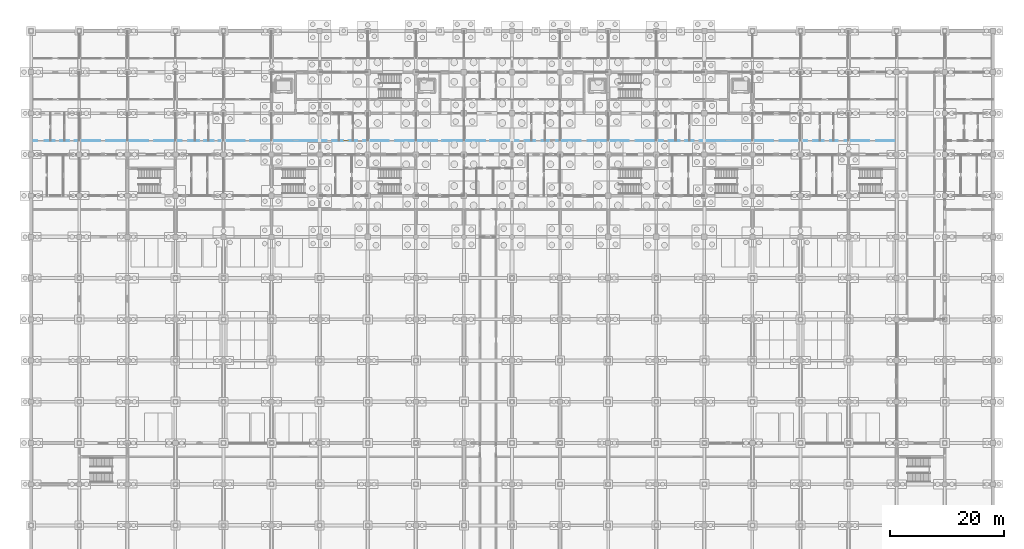
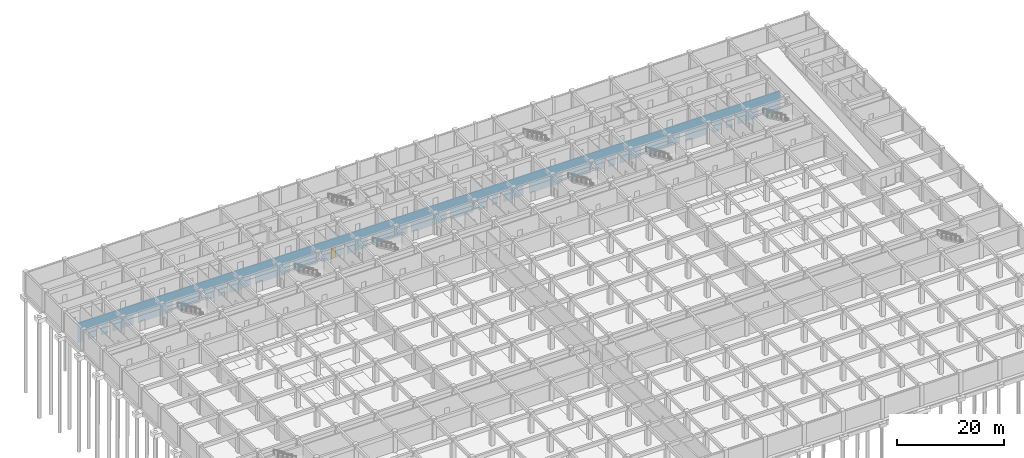
# One storey, part 52 of 85: 1 door, 30 openings, plus 1 element that does not belong to this part.
"""IFC4 building model written with IfcOpenShell, lengths in metres."""

from ifc_helpers import new_model, si_unit, direction, frame, frame_2d, origin, place, context, subcontext, project, spatial, rectangle, extrude, material, layer, layer_set, type_object, element, fill, save


model = new_model("IFC4")

# Units and contexts
model_context = context("Model", 3, precision=1e-05, world=origin(), true_north=direction((0.0, 1.0)))
body_context = subcontext(model_context, "Body", "Model", "MODEL_VIEW")
ifc_project = project(units=[si_unit("LENGTHUNIT", "METRE"), si_unit("AREAUNIT", "SQUARE_METRE"), si_unit("VOLUMEUNIT", "CUBIC_METRE"), si_unit("PLANEANGLEUNIT", "RADIAN"), si_unit("MASSUNIT", "GRAM", prefix="KILO")], contexts=[model_context])

# Site, building, storey
site_placement = place(None, origin())
site = spatial("IfcSite", under=ifc_project, at=site_placement, CompositionType="ELEMENT")
building_placement = place(site_placement, origin())
building = spatial("IfcBuilding", under=site, at=building_placement, Name="Chengyuan Square Courthouse", CompositionType="ELEMENT")
storey_placement = place(building_placement, frame((0.0, 0.0, -10.199951171875)))
storey = spatial("IfcBuildingStorey", under=building, at=storey_placement, Name="B02", CompositionType="ELEMENT", Elevation=-10.199951171875)

# Wall, openings, door
ifc_material_1 = material(Name="Gypsum Plasterboard Acoustic Stud Partition")
ifc_layer = layer(ifc_material_1, 0.10009765625)
ifc_layer_set = layer_set([ifc_layer], Name="Gypsum Plasterboard Acoustic Stud Partition")
wall_type = type_object("IfcWallType", Name="WL-PT6", PredefinedType="STANDARD", material=ifc_layer_set)
wall_placement = place(storey_placement, frame((0.0400390625, 96.0, 0.0), z_axis=(0.0, 0.0, 1.0), x_axis=(1.0, 0.0, 0.0)))
wall = element("IfcWall", 1, at=wall_placement, inside=storey, type_object=wall_type, Name="Interior Wall WL-B02-I062", PredefinedType="STANDARD", context=body_context, shape_type="SweptSolid", body=[
    extrude(rectangle(XDim=151.159912109375, YDim=0.10009765625, at=frame_2d((75.580078125, 0.0))), origin(), (0.0, 0.0, 1.0), 4.47998046875),
])
opening_1_placement = place(wall_placement, frame((1.0400390625, 0.0, 0.0)))
element("IfcOpeningElement", 2, at=opening_1_placement, cuts=wall, Name="Opening DR-148", PredefinedType="OPENING", context=body_context, shape_type="SweptSolid", body=[
    extrude(rectangle(XDim=1.280029296875, YDim=2.35009765625, at=frame_2d((0.64013671875, 1.175048828125))), frame((0.0, 0.06201171875, 0.0), z_axis=(0.0, -1.0, 0.0), x_axis=(1.0, 0.0, 0.0)), (0.0, 0.0, 1.0), 0.1240234375),
])
opening_2_placement = place(wall_placement, frame((4.090087890625, 0.0, 0.0)))
element("IfcOpeningElement", 3, at=opening_2_placement, cuts=wall, Name="Opening DR-149", PredefinedType="OPENING", context=body_context, shape_type="SweptSolid", body=[
    extrude(rectangle(XDim=0.93994140625, YDim=2.300048828125, at=frame_2d((0.469970703125, 1.14990234375))), frame((0.0, 0.06201171875, 0.0), z_axis=(0.0, -1.0, 0.0), x_axis=(1.0, 0.0, 0.0)), (0.0, 0.0, 1.0), 0.1240234375),
])
opening_3_placement = place(wall_placement, frame((6.570068359375, 0.0, 0.0)))
element("IfcOpeningElement", 4, at=opening_3_placement, cuts=wall, Name="Opening DR-150", PredefinedType="OPENING", context=body_context, shape_type="SweptSolid", body=[
    extrude(rectangle(XDim=0.97998046875, YDim=2.35009765625, at=frame_2d((0.489990234375, 1.175048828125))), frame((0.0, 0.06201171875, 0.0), z_axis=(0.0, -1.0, 0.0), x_axis=(1.0, 0.0, 0.0)), (0.0, 0.0, 1.0), 0.1240234375),
])
opening_4_placement = place(wall_placement, frame((12.050048828125, 0.0, 0.0)))
element("IfcOpeningElement", 5, at=opening_4_placement, cuts=wall, Name="Opening DR-151", PredefinedType="OPENING", context=body_context, shape_type="SweptSolid", body=[
    extrude(rectangle(XDim=1.02001953125, YDim=2.39990234375, at=frame_2d((0.510009765625, 1.199951171875))), frame((0.0, 0.06201171875, 0.0), z_axis=(0.0, -1.0, 0.0), x_axis=(1.0, 0.0, 0.0)), (0.0, 0.0, 1.0), 0.1240234375),
])
opening_5_placement = place(wall_placement, frame((20.429931640625, 0.0, 0.0)))
element("IfcOpeningElement", 6, at=opening_5_placement, cuts=wall, Name="Opening DR-152", PredefinedType="OPENING", context=body_context, shape_type="SweptSolid", body=[
    extrude(rectangle(XDim=1.06005859375, YDim=2.39990234375, at=frame_2d((0.530029296875, 1.199951171875))), frame((0.0, 0.06201171875, 0.0), z_axis=(0.0, -1.0, 0.0), x_axis=(1.0, 0.0, 0.0)), (0.0, 0.0, 1.0), 0.1240234375),
])
opening_6_placement = place(wall_placement, frame((26.2900390625, 0.0, 0.0)))
element("IfcOpeningElement", 7, at=opening_6_placement, cuts=wall, Name="Opening DR-153", PredefinedType="OPENING", context=body_context, shape_type="SweptSolid", body=[
    extrude(rectangle(XDim=1.139892578125, YDim=2.39990234375, at=frame_2d((0.56982421875, 1.199951171875))), frame((0.0, 0.06201171875, 0.0), z_axis=(0.0, -1.0, 0.0), x_axis=(1.0, 0.0, 0.0)), (0.0, 0.0, 1.0), 0.1240234375),
])
opening_7_placement = place(wall_placement, frame((29.31005859375, 0.0, 0.0)))
element("IfcOpeningElement", 8, at=opening_7_placement, cuts=wall, Name="Opening DR-154", PredefinedType="OPENING", context=body_context, shape_type="SweptSolid", body=[
    extrude(rectangle(XDim=0.89990234375, YDim=2.14990234375, at=frame_2d((0.449951171875, 1.074951171875))), frame((0.0, 0.06201171875, 0.0), z_axis=(0.0, -1.0, 0.0), x_axis=(1.0, 0.0, 0.0)), (0.0, 0.0, 1.0), 0.1240234375),
])
opening_8_placement = place(wall_placement, frame((31.830078125, 0.0, 0.0)))
element("IfcOpeningElement", 9, at=opening_8_placement, cuts=wall, Name="Opening DR-155", PredefinedType="OPENING", context=body_context, shape_type="SweptSolid", body=[
    extrude(rectangle(XDim=0.860107421875, YDim=2.10009765625, at=frame_2d((0.43017578125, 1.050048828125))), frame((0.0, 0.06201171875, 0.0), z_axis=(0.0, -1.0, 0.0), x_axis=(1.0, 0.0, 0.0)), (0.0, 0.0, 1.0), 0.1240234375),
])
opening_9_placement = place(wall_placement, frame((37.300048828125, 0.0, 0.0)))
element("IfcOpeningElement", 10, at=opening_9_placement, cuts=wall, Name="Opening DR-156", PredefinedType="OPENING", context=body_context, shape_type="SweptSolid", body=[
    extrude(rectangle(XDim=0.919921875, YDim=2.14990234375, at=frame_2d((0.4599609375, 1.074951171875))), frame((0.0, 0.06201171875, 0.0), z_axis=(0.0, -1.0, 0.0), x_axis=(1.0, 0.0, 0.0)), (0.0, 0.0, 1.0), 0.1240234375),
])
opening_10_placement = place(wall_placement, frame((45.679931640625, 0.0, 0.0)))
element("IfcOpeningElement", 11, at=opening_10_placement, cuts=wall, Name="Opening DR-157", PredefinedType="OPENING", context=body_context, shape_type="SweptSolid", body=[
    extrude(rectangle(XDim=0.9599609375, YDim=2.199951171875, at=frame_2d((0.47998046875, 1.10009765625))), frame((0.0, 0.06201171875, 0.0), z_axis=(0.0, -1.0, 0.0), x_axis=(1.0, 0.0, 0.0)), (0.0, 0.0, 1.0), 0.1240234375),
])
opening_11_placement = place(wall_placement, frame((51.570068359375, 0.0, 0.0)))
element("IfcOpeningElement", 12, at=opening_11_placement, cuts=wall, Name="Opening DR-167", PredefinedType="OPENING", context=body_context, shape_type="SweptSolid", body=[
    extrude(rectangle(XDim=0.97998046875, YDim=2.35009765625, at=frame_2d((0.489990234375, 1.175048828125))), frame((0.0, 0.06201171875, 0.0), z_axis=(0.0, -1.0, 0.0), x_axis=(1.0, 0.0, 0.0)), (0.0, 0.0, 1.0), 0.1240234375),
])
opening_12_placement = place(wall_placement, frame((54.449951171875, 0.0, 0.0)))
opening_12 = element("IfcOpeningElement", 13, at=opening_12_placement, cuts=wall, Name="Opening DR-168", PredefinedType="OPENING", context=body_context, shape_type="SweptSolid", body=[
    extrude(rectangle(XDim=1.02001953125, YDim=2.39990234375, at=frame_2d((0.510009765625, 1.199951171875))), frame((0.0, 0.06201171875, 0.0), z_axis=(0.0, -1.0, 0.0), x_axis=(1.0, 0.0, 0.0)), (0.0, 0.0, 1.0), 0.1240234375),
])
opening_13_placement = place(wall_placement, frame((56.929931640625, 0.0, 0.0)))
element("IfcOpeningElement", 14, at=opening_13_placement, cuts=wall, Name="Opening DR-169", PredefinedType="OPENING", context=body_context, shape_type="SweptSolid", body=[
    extrude(rectangle(XDim=1.06005859375, YDim=2.39990234375, at=frame_2d((0.530029296875, 1.199951171875))), frame((0.0, 0.06201171875, 0.0), z_axis=(0.0, -1.0, 0.0), x_axis=(1.0, 0.0, 0.0)), (0.0, 0.0, 1.0), 0.1240234375),
])
opening_14_placement = place(wall_placement, frame((62.389892578125, 0.0, 0.0)))
element("IfcOpeningElement", 15, at=opening_14_placement, cuts=wall, Name="Opening DR-170", PredefinedType="OPENING", context=body_context, shape_type="SweptSolid", body=[
    extrude(rectangle(XDim=1.139892578125, YDim=2.39990234375, at=frame_2d((0.56982421875, 1.199951171875))), frame((0.0, 0.06201171875, 0.0), z_axis=(0.0, -1.0, 0.0), x_axis=(1.0, 0.0, 0.0)), (0.0, 0.0, 1.0), 0.1240234375),
])
opening_15_placement = place(wall_placement, frame((70.909912109375, 0.0, 0.0)))
element("IfcOpeningElement", 16, at=opening_15_placement, cuts=wall, Name="Opening DR-171", PredefinedType="OPENING", context=body_context, shape_type="SweptSolid", body=[
    extrude(rectangle(XDim=0.89990234375, YDim=2.14990234375, at=frame_2d((0.449951171875, 1.074951171875))), frame((0.0, 0.06201171875, 0.0), z_axis=(0.0, -1.0, 0.0), x_axis=(1.0, 0.0, 0.0)), (0.0, 0.0, 1.0), 0.1240234375),
])
opening_16_placement = place(wall_placement, frame((79.330078125, 0.0, 0.0)))
element("IfcOpeningElement", 17, at=opening_16_placement, cuts=wall, Name="Opening DR-172", PredefinedType="OPENING", context=body_context, shape_type="SweptSolid", body=[
    extrude(rectangle(XDim=0.860107421875, YDim=2.10009765625, at=frame_2d((0.43017578125, 1.050048828125))), frame((0.0, 0.06201171875, 0.0), z_axis=(0.0, -1.0, 0.0), x_axis=(1.0, 0.0, 0.0)), (0.0, 0.0, 1.0), 0.1240234375),
])
opening_17_placement = place(wall_placement, frame((85.10009765625, 0.0, 0.0)))
element("IfcOpeningElement", 18, at=opening_17_placement, cuts=wall, Name="Opening DR-178", PredefinedType="OPENING", context=body_context, shape_type="SweptSolid", body=[
    extrude(rectangle(XDim=1.1201171875, YDim=2.25, at=frame_2d((0.56005859375, 1.125))), frame((0.0, 0.06201171875, 0.0), z_axis=(0.0, -1.0, 0.0), x_axis=(1.0, 0.0, 0.0)), (0.0, 0.0, 1.0), 0.1240234375),
])
opening_18_placement = place(wall_placement, frame((87.97998046875, 0.0, 0.0)))
element("IfcOpeningElement", 19, at=opening_18_placement, cuts=wall, Name="Opening DR-179", PredefinedType="OPENING", context=body_context, shape_type="SweptSolid", body=[
    extrude(rectangle(XDim=1.159912109375, YDim=2.300048828125, at=frame_2d((0.580078125, 1.14990234375))), frame((0.0, 0.06201171875, 0.0), z_axis=(0.0, -1.0, 0.0), x_axis=(1.0, 0.0, 0.0)), (0.0, 0.0, 1.0), 0.1240234375),
])
opening_19_placement = place(wall_placement, frame((90.4599609375, 0.0, 0.0)))
element("IfcOpeningElement", 20, at=opening_19_placement, cuts=wall, Name="Opening DR-180", PredefinedType="OPENING", context=body_context, shape_type="SweptSolid", body=[
    extrude(rectangle(XDim=1.199951171875, YDim=2.35009765625, at=frame_2d((0.60009765625, 1.175048828125))), frame((0.0, 0.06201171875, 0.0), z_axis=(0.0, -1.0, 0.0), x_axis=(1.0, 0.0, 0.0)), (0.0, 0.0, 1.0), 0.1240234375),
])
opening_20_placement = place(wall_placement, frame((95.93994140625, 0.0, 0.0)))
element("IfcOpeningElement", 21, at=opening_20_placement, cuts=wall, Name="Opening DR-181", PredefinedType="OPENING", context=body_context, shape_type="SweptSolid", body=[
    extrude(rectangle(XDim=1.239990234375, YDim=2.300048828125, at=frame_2d((0.6201171875, 1.14990234375))), frame((0.0, 0.06201171875, 0.0), z_axis=(0.0, -1.0, 0.0), x_axis=(1.0, 0.0, 0.0)), (0.0, 0.0, 1.0), 0.1240234375),
])
opening_21_placement = place(wall_placement, frame((104.320068359375, 0.0, 0.0)))
element("IfcOpeningElement", 22, at=opening_21_placement, cuts=wall, Name="Opening DR-182", PredefinedType="OPENING", context=body_context, shape_type="SweptSolid", body=[
    extrude(rectangle(XDim=1.280029296875, YDim=2.35009765625, at=frame_2d((0.64013671875, 1.175048828125))), frame((0.0, 0.06201171875, 0.0), z_axis=(0.0, -1.0, 0.0), x_axis=(1.0, 0.0, 0.0)), (0.0, 0.0, 1.0), 0.1240234375),
])
opening_22_placement = place(wall_placement, frame((110.389892578125, 0.0, 0.0)))
element("IfcOpeningElement", 23, at=opening_22_placement, cuts=wall, Name="Opening DR-183", PredefinedType="OPENING", context=body_context, shape_type="SweptSolid", body=[
    extrude(rectangle(XDim=0.93994140625, YDim=2.300048828125, at=frame_2d((0.469970703125, 1.14990234375))), frame((0.0, 0.06201171875, 0.0), z_axis=(0.0, -1.0, 0.0), x_axis=(1.0, 0.0, 0.0)), (0.0, 0.0, 1.0), 0.1240234375),
])
opening_23_placement = place(wall_placement, frame((113.27001953125, 0.0, 0.0)))
element("IfcOpeningElement", 24, at=opening_23_placement, cuts=wall, Name="Opening DR-184", PredefinedType="OPENING", context=body_context, shape_type="SweptSolid", body=[
    extrude(rectangle(XDim=0.97998046875, YDim=2.35009765625, at=frame_2d((0.489990234375, 1.175048828125))), frame((0.0, 0.06201171875, 0.0), z_axis=(0.0, -1.0, 0.0), x_axis=(1.0, 0.0, 0.0)), (0.0, 0.0, 1.0), 0.1240234375),
])
opening_24_placement = place(wall_placement, frame((115.75, 0.0, 0.0)))
element("IfcOpeningElement", 25, at=opening_24_placement, cuts=wall, Name="Opening DR-185", PredefinedType="OPENING", context=body_context, shape_type="SweptSolid", body=[
    extrude(rectangle(XDim=1.02001953125, YDim=2.39990234375, at=frame_2d((0.510009765625, 1.199951171875))), frame((0.0, 0.06201171875, 0.0), z_axis=(0.0, -1.0, 0.0), x_axis=(1.0, 0.0, 0.0)), (0.0, 0.0, 1.0), 0.1240234375),
])
opening_25_placement = place(wall_placement, frame((121.239990234375, 0.0, 0.0)))
element("IfcOpeningElement", 26, at=opening_25_placement, cuts=wall, Name="Opening DR-193", PredefinedType="OPENING", context=body_context, shape_type="SweptSolid", body=[
    extrude(rectangle(XDim=1.0400390625, YDim=2.199951171875, at=frame_2d((0.52001953125, 1.10009765625))), frame((0.0, 0.06201171875, 0.0), z_axis=(0.0, -1.0, 0.0), x_axis=(1.0, 0.0, 0.0)), (0.0, 0.0, 1.0), 0.1240234375),
])
opening_26_placement = place(wall_placement, frame((129.6201171875, 0.0, 0.0)))
element("IfcOpeningElement", 27, at=opening_26_placement, cuts=wall, Name="Opening DR-194", PredefinedType="OPENING", context=body_context, shape_type="SweptSolid", body=[
    extrude(rectangle(XDim=1.080078125, YDim=2.25, at=frame_2d((0.5400390625, 1.125))), frame((0.0, 0.06201171875, 0.0), z_axis=(0.0, -1.0, 0.0), x_axis=(1.0, 0.0, 0.0)), (0.0, 0.0, 1.0), 0.1240234375),
])
opening_27_placement = place(wall_placement, frame((135.5, 0.0, 0.0)))
element("IfcOpeningElement", 28, at=opening_27_placement, cuts=wall, Name="Opening DR-195", PredefinedType="OPENING", context=body_context, shape_type="SweptSolid", body=[
    extrude(rectangle(XDim=1.1201171875, YDim=2.25, at=frame_2d((0.56005859375, 1.125))), frame((0.0, 0.06201171875, 0.0), z_axis=(0.0, -1.0, 0.0), x_axis=(1.0, 0.0, 0.0)), (0.0, 0.0, 1.0), 0.1240234375),
])
opening_28_placement = place(wall_placement, frame((138.3798828125, 0.0, 0.0)))
element("IfcOpeningElement", 29, at=opening_28_placement, cuts=wall, Name="Opening DR-196", PredefinedType="OPENING", context=body_context, shape_type="SweptSolid", body=[
    extrude(rectangle(XDim=1.159912109375, YDim=2.300048828125, at=frame_2d((0.580078125, 1.14990234375))), frame((0.0, 0.06201171875, 0.0), z_axis=(0.0, -1.0, 0.0), x_axis=(1.0, 0.0, 0.0)), (0.0, 0.0, 1.0), 0.1240234375),
])
opening_29_placement = place(wall_placement, frame((140.860107421875, 0.0, 0.0)))
element("IfcOpeningElement", 30, at=opening_29_placement, cuts=wall, Name="Opening DR-197", PredefinedType="OPENING", context=body_context, shape_type="SweptSolid", body=[
    extrude(rectangle(XDim=1.199951171875, YDim=2.35009765625, at=frame_2d((0.60009765625, 1.175048828125))), frame((0.0, 0.06201171875, 0.0), z_axis=(0.0, -1.0, 0.0), x_axis=(1.0, 0.0, 0.0)), (0.0, 0.0, 1.0), 0.1240234375),
])
opening_30_placement = place(wall_placement, frame((146.340087890625, 0.0, 0.0)))
element("IfcOpeningElement", 31, at=opening_30_placement, cuts=wall, Name="Opening DR-198", PredefinedType="OPENING", context=body_context, shape_type="SweptSolid", body=[
    extrude(rectangle(XDim=1.239990234375, YDim=2.300048828125, at=frame_2d((0.6201171875, 1.14990234375))), frame((0.0, 0.06201171875, 0.0), z_axis=(0.0, -1.0, 0.0), x_axis=(1.0, 0.0, 0.0)), (0.0, 0.0, 1.0), 0.1240234375),
])
ifc_material_2 = material(Name="Acoustic Solid-Core Timber Door", Category="wood")
door_type = type_object("IfcDoorType", Name="DT-41", OperationType="NOTDEFINED", PredefinedType="DOOR", material=ifc_material_2)
door_placement = place(opening_12_placement, origin())
door = element("IfcDoor", 32, at=door_placement, inside=storey, type_object=door_type, Name="Interior Door DR-168", OperationType="SINGLE_SWING_LEFT", OverallHeight=2.39990234375, OverallWidth=1.02001953125, PredefinedType="DOOR", context=body_context, shape_type="SweptSolid", body=[
    extrude(rectangle(XDim=1.02001953125, YDim=2.39990234375, at=frame_2d((0.510009765625, 1.199951171875))), frame((0.0, 0.02490234375, 0.0), z_axis=(0.0, -1.0, 0.0), x_axis=(1.0, 0.0, 0.0)), (0.0, 0.0, 1.0), 0.050048828125),
])
fill(opening_12, door)

save(model, "model.ifc")
